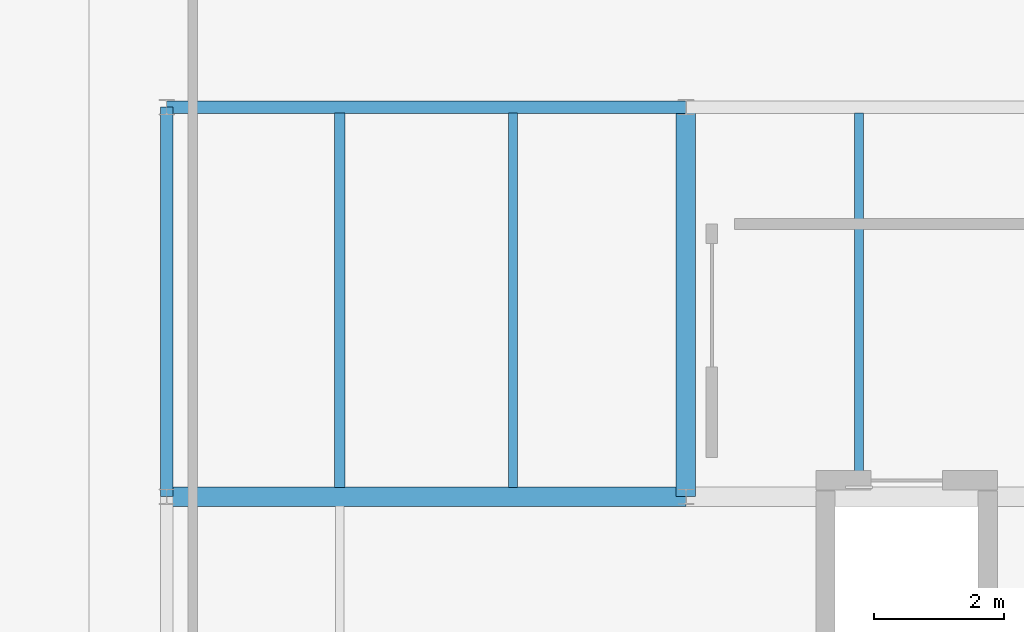
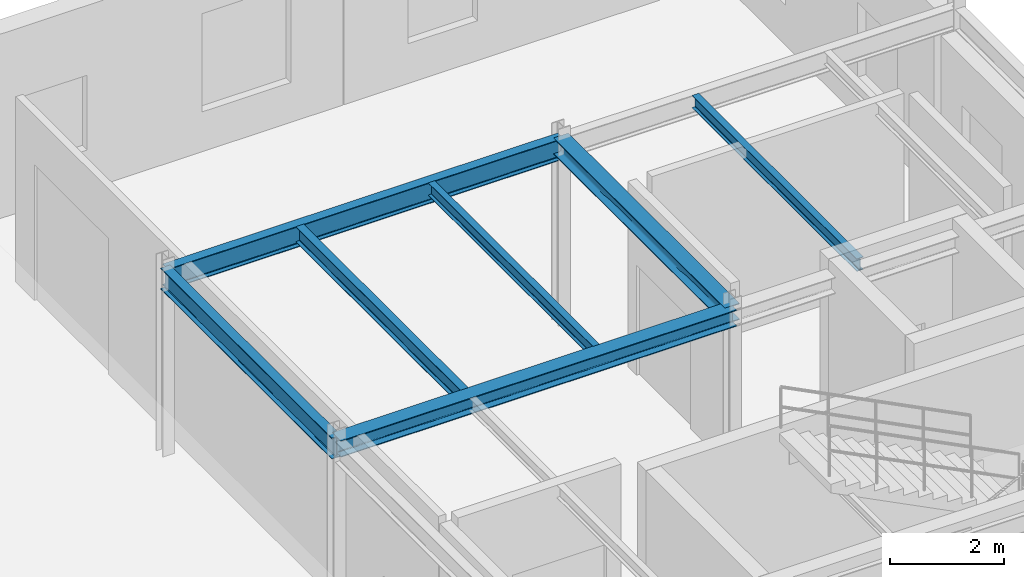
# One storey, part 29 of 124: 7 beams.
"""IFC4 building model written with IfcOpenShell, lengths in metres."""

from ifc_helpers import new_model, si_unit, direction, frame, origin, origin_2d, place, context, subcontext, project, spatial, i_section, extrude, material, material_profile, profile_set, type_object, element, save


model = new_model("IFC4")

# Units and contexts
model_context = context("Model", 3, precision=1e-05, world=origin(), true_north=direction((0.0, 1.0)))
body_context = subcontext(model_context, "Body", "Model", "MODEL_VIEW")
ifc_project = project(units=[si_unit("LENGTHUNIT", "METRE"), si_unit("AREAUNIT", "SQUARE_METRE"), si_unit("VOLUMEUNIT", "CUBIC_METRE"), si_unit("PLANEANGLEUNIT", "RADIAN"), si_unit("MASSUNIT", "GRAM", prefix="KILO")], contexts=[model_context])

# Site, building, storey
site_placement = place(None, origin())
site = spatial("IfcSite", under=ifc_project, at=site_placement, CompositionType="ELEMENT")
building_placement = place(site_placement, origin())
building = spatial("IfcBuilding", under=site, at=building_placement, Name="Sundkrona Museum", CompositionType="ELEMENT")
storey_placement = place(building_placement, frame((0.0, 0.0, 17.60009765625)))
storey = spatial("IfcBuildingStorey", under=building, at=storey_placement, Name="L03", CompositionType="ELEMENT", Elevation=17.60009765625)

# Beams
ifc_material = material(Name="Steel S355J2", Category="steel")
ifc_material_profile_1 = material_profile(ifc_material, i_section(OverallWidth=0.300048828125, OverallDepth=0.35009765625, WebThickness=0.010009765625, FlangeThickness=0.017578125, FilletRadius=0.027099609375, at=origin_2d()), Name="HEA 360")
ifc_profile_set_1 = profile_set([ifc_material_profile_1], Name="Steel S355J2")
beam_type_1 = type_object("IfcBeamType", Name="B-HEA360", PredefinedType="BEAM", material=ifc_profile_set_1)
beam_1_placement = place(storey_placement, frame((24.0, 40.0, 3.784912109375), z_axis=(1.0, 0.0, 0.0), x_axis=(0.0, 1.0, 0.0)))
element("IfcBeam", 1, at=beam_1_placement, inside=storey, type_object=beam_type_1, Name="L03 Girder X-1455", PredefinedType="BEAM", context=body_context, shape_type="SweptSolid", body=[
    extrude(i_section(OverallWidth=0.300048828125, OverallDepth=0.35009765625, WebThickness=0.010009765625, FlangeThickness=0.017578125, FilletRadius=0.027099609375, at=origin_2d()), origin(), (0.0, 0.0, 1.0), 8.0),
])
beam_2_placement = place(storey_placement, frame((32.0, 40.0, 3.784912109375), z_axis=(0.0, 1.0, 0.0), x_axis=(-1.0, 0.0, 0.0)))
element("IfcBeam", 2, at=beam_2_placement, inside=storey, type_object=beam_type_1, Name="L03 Girder Y-1568", PredefinedType="BEAM", context=body_context, shape_type="SweptSolid", body=[
    extrude(i_section(OverallWidth=0.300048828125, OverallDepth=0.35009765625, WebThickness=0.010009765625, FlangeThickness=0.017578125, FilletRadius=0.027099609375, at=origin_2d()), origin(), (0.0, 0.0, 1.0), 6.0),
])
ifc_material_profile_2 = material_profile(ifc_material, i_section(OverallWidth=0.135009765625, OverallDepth=0.27001953125, WebThickness=0.006591796875, FlangeThickness=0.01025390625, FilletRadius=0.014892578125, at=origin_2d()), Name="IPE 270")
ifc_profile_set_2 = profile_set([ifc_material_profile_2], Name="Steel S355J2")
beam_type_2 = type_object("IfcBeamType", Name="J-IPE270", PredefinedType="JOIST", material=ifc_profile_set_2)
for number, where, z_axis, x_axis, name in (
    (3, (29.333251953125, 40.14404296875, 3.824951171875), (0.0, 1.0, 0.0), (-1.0, 0.0, 0.0), "L03 Composite Joist 0981"),
    (4, (34.666748046875, 40.14404296875, 3.824951171875), (0.0, 1.0, 0.0), (-1.0, 0.0, 0.0), "L03 Composite Joist 0992"),
):
    element("IfcBeam", number, at=place(storey_placement, frame(where, z_axis=z_axis, x_axis=x_axis)), inside=storey, type_object=beam_type_2, Name=name, PredefinedType="JOIST", context=body_context, shape_type="SweptSolid", body=[
        extrude(i_section(OverallWidth=0.135009765625, OverallDepth=0.27001953125, WebThickness=0.006591796875, FlangeThickness=0.01025390625, FilletRadius=0.014892578125, at=origin_2d()), origin(), (0.0, 0.0, 1.0), 5.766845703125),
    ])
ifc_material_profile_3 = material_profile(ifc_material, i_section(OverallWidth=0.159912109375, OverallDepth=0.330078125, WebThickness=0.007568359375, FlangeThickness=0.011474609375, FilletRadius=0.01806640625, at=origin_2d()), Name="IPE 330")
ifc_profile_set_3 = profile_set([ifc_material_profile_3], Name="Steel S355J2")
beam_type_3 = type_object("IfcBeamType", Name="J-IPE330", PredefinedType="JOIST", material=ifc_profile_set_3)
beam_3_placement = place(storey_placement, frame((26.666748046875, 40.14404296875, 3.794921875), z_axis=(0.0, 1.0, 0.0), x_axis=(-1.0, 0.0, 0.0)))
element("IfcBeam", 5, at=beam_3_placement, inside=storey, type_object=beam_type_3, Name="L03 Composite Joist 0980", PredefinedType="JOIST", context=body_context, shape_type="SweptSolid", body=[
    extrude(i_section(OverallWidth=0.159912109375, OverallDepth=0.330078125, WebThickness=0.007568359375, FlangeThickness=0.011474609375, FilletRadius=0.01806640625, at=origin_2d()), origin(), (0.0, 0.0, 1.0), 5.766845703125),
])
ifc_material_profile_4 = material_profile(ifc_material, i_section(OverallWidth=0.18994140625, OverallDepth=0.449951171875, WebThickness=0.009521484375, FlangeThickness=0.0146484375, FilletRadius=0.02099609375, at=origin_2d()), Name="IPE 450")
ifc_profile_set_4 = profile_set([ifc_material_profile_4], Name="Steel S355J2")
beam_type_4 = type_object("IfcBeamType", Name="SP-IPE450", PredefinedType="SPANDREL", material=ifc_profile_set_4)
beam_4_placement = place(storey_placement, frame((24.0, 46.0, 3.73486328125), z_axis=(1.0, 0.0, 0.0), x_axis=(0.0, 1.0, 0.0)))
element("IfcBeam", 6, at=beam_4_placement, inside=storey, type_object=beam_type_4, Name="L03 Girder X-1466", PredefinedType="SPANDREL", context=body_context, shape_type="SweptSolid", body=[
    extrude(i_section(OverallWidth=0.18994140625, OverallDepth=0.449951171875, WebThickness=0.009521484375, FlangeThickness=0.0146484375, FilletRadius=0.02099609375, at=origin_2d()), origin(), (0.0, 0.0, 1.0), 8.0),
])
beam_5_placement = place(storey_placement, frame((24.0, 40.0, 3.73486328125), z_axis=(0.0, 1.0, 0.0), x_axis=(-1.0, 0.0, 0.0)))
element("IfcBeam", 7, at=beam_5_placement, inside=storey, type_object=beam_type_4, Name="L03 Girder Y-1562", PredefinedType="SPANDREL", context=body_context, shape_type="SweptSolid", body=[
    extrude(i_section(OverallWidth=0.18994140625, OverallDepth=0.449951171875, WebThickness=0.009521484375, FlangeThickness=0.0146484375, FilletRadius=0.02099609375, at=origin_2d()), origin(), (0.0, 0.0, 1.0), 6.0),
])

save(model, "model.ifc")
